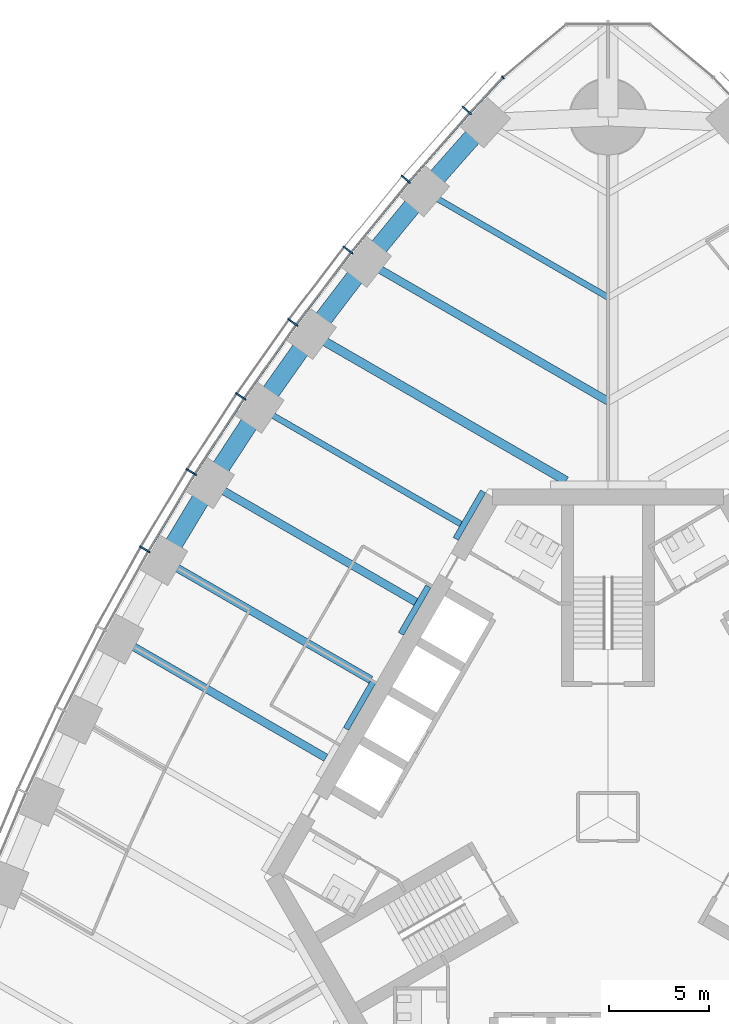
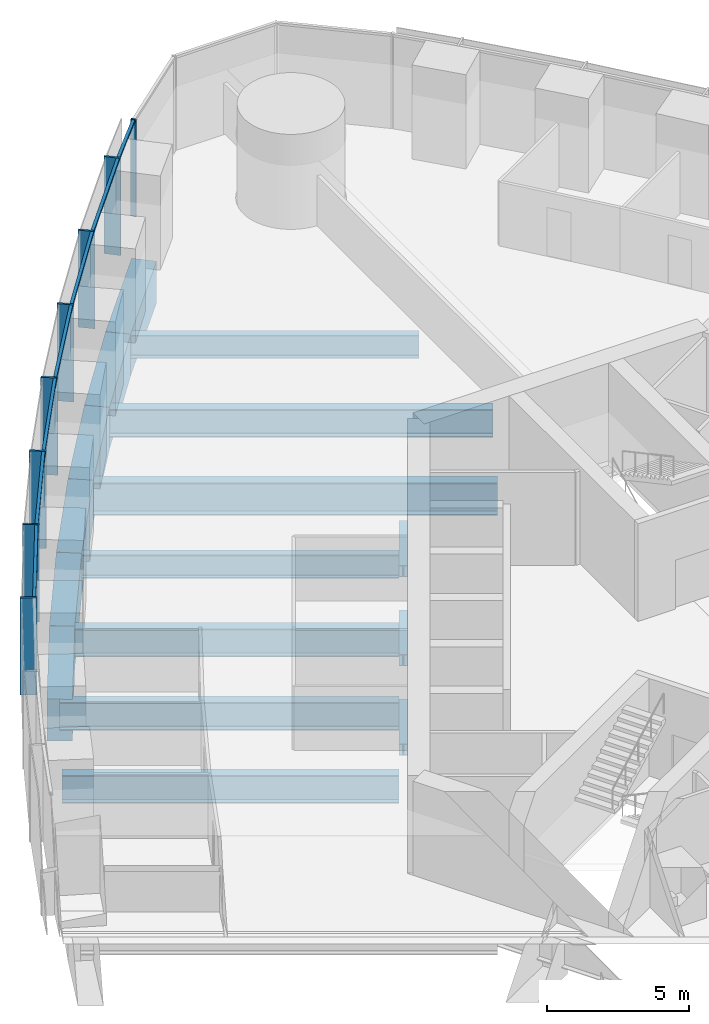
# One storey, part 4 of 18: 16 beams, 15 members, 2 elements without a shape of their own.
"""IFC4 building model written with IfcOpenShell, lengths in metres."""

from ifc_helpers import new_model, si_unit, direction, frame, origin, origin_2d, place, context, subcontext, project, spatial, rectangle, i_section, extrude, material, material_profile, profile_set, type_object, element, aggregate, save


model = new_model("IFC4")

# Units and contexts
model_context = context("Model", 3, precision=1e-05, world=origin(), true_north=direction((0.0, 1.0)))
body_context = subcontext(model_context, "Body", "Model", "MODEL_VIEW")
ifc_project = project(units=[si_unit("LENGTHUNIT", "METRE"), si_unit("AREAUNIT", "SQUARE_METRE"), si_unit("VOLUMEUNIT", "CUBIC_METRE"), si_unit("PLANEANGLEUNIT", "RADIAN"), si_unit("MASSUNIT", "GRAM", prefix="KILO")], contexts=[model_context])

# Site, building, storey
site_placement = place(None, origin())
site = spatial("IfcSite", under=ifc_project, at=site_placement, CompositionType="ELEMENT")
building_placement = place(site_placement, origin())
building = spatial("IfcBuilding", under=site, at=building_placement, Name="Trefoil Bronze Tower", CompositionType="ELEMENT")
storey_placement = place(building_placement, frame((0.0, 0.0, 157.699951171875)))
storey = spatial("IfcBuildingStorey", under=building, at=storey_placement, Name="L36", CompositionType="ELEMENT", Elevation=157.699951171875)

# Curtain wall, members
ifc_material_1 = material(Name="Tinted solar-control glass", Category="glass")
curtain_wall_type_1 = type_object("IfcCurtainWallType", Name="Bronze office curtain wall", PredefinedType="USERDEFINED", material=ifc_material_1)
curtain_wall_1_placement = place(storey_placement, origin())
curtain_wall_1 = element("IfcCurtainWall", 1, at=curtain_wall_1_placement, inside=storey, type_object=curtain_wall_type_1, Name="CW-A L36 F3", ObjectType="CURTAIN WALL", PredefinedType="USERDEFINED")
ifc_material_2 = material(Name="Bronze-finish aluminium", Category="aluminium")
ifc_material_profile_1 = material_profile(ifc_material_2, rectangle(XDim=0.60009765625, YDim=0.080078125, at=origin_2d()), Name="CW-A mullion")
ifc_profile_set_1 = profile_set([ifc_material_profile_1], Name="Bronze-finish aluminium")
member_type_1 = type_object("IfcMemberType", Name="Bronze office curtain wall mullion", PredefinedType="MULLION", material=ifc_profile_set_1)
member_1_placement = place(storey_placement, frame((-7.070068359375, 35.332275390625, 0.0), z_axis=(0.0, 0.0, 1.0), x_axis=(0.740360700327, -0.672209813534, 0.0)))
member_1 = element("IfcMember", 2, at=member_1_placement, type_object=member_type_1, Name="CW-A L36 F3 mullion 2", PredefinedType="MULLION", context=body_context, shape_type="SweptSolid", body=[
    extrude(rectangle(XDim=0.60009765625, YDim=0.080078125, at=origin_2d()), origin(), (0.0, 0.0, 1.0), 4.179931640625),
])
member_2_placement = place(storey_placement, frame((-10.11474609375, 31.8828125, 0.0), z_axis=(0.0, 0.0, 1.0), x_axis=(0.761721651066, -0.647904411389, 0.0)))
member_2 = element("IfcMember", 3, at=member_2_placement, type_object=member_type_1, Name="CW-A L36 F3 mullion 3", PredefinedType="MULLION", context=body_context, shape_type="SweptSolid", body=[
    extrude(rectangle(XDim=0.60009765625, YDim=0.080078125, at=origin_2d()), origin(), (0.0, 0.0, 1.0), 4.179931640625),
])
member_3_placement = place(storey_placement, frame((-13.01220703125, 28.34716796875, 0.0), z_axis=(0.0, 0.0, 1.0), x_axis=(0.78487913905, -0.619648882098, 0.0)))
member_3 = element("IfcMember", 4, at=member_3_placement, type_object=member_type_1, Name="CW-A L36 F3 mullion 4", PredefinedType="MULLION", context=body_context, shape_type="SweptSolid", body=[
    extrude(rectangle(XDim=0.60009765625, YDim=0.080078125, at=origin_2d()), origin(), (0.0, 0.0, 1.0), 4.179931640625),
])
member_4_placement = place(storey_placement, frame((-15.764404296875, 24.7275390625, 0.0), z_axis=(0.0, 0.0, 1.0), x_axis=(0.806874522901, -0.590722865897, 0.0)))
member_4 = element("IfcMember", 5, at=member_4_placement, type_object=member_type_1, Name="CW-A L36 F3 mullion 5", PredefinedType="MULLION", context=body_context, shape_type="SweptSolid", body=[
    extrude(rectangle(XDim=0.60009765625, YDim=0.080078125, at=origin_2d()), origin(), (0.0, 0.0, 1.0), 4.179931640625),
])
member_5_placement = place(storey_placement, frame((-18.373046875, 21.025146484375, 0.0), z_axis=(0.0, 0.0, 1.0), x_axis=(0.827723925749, -0.561135547566, 0.0)))
member_5 = element("IfcMember", 6, at=member_5_placement, type_object=member_type_1, Name="CW-A L36 F3 mullion 6", PredefinedType="MULLION", context=body_context, shape_type="SweptSolid", body=[
    extrude(rectangle(XDim=0.60009765625, YDim=0.080078125, at=origin_2d()), origin(), (0.0, 0.0, 1.0), 4.179931640625),
])
member_6_placement = place(storey_placement, frame((-20.840087890625, 17.24072265625, 0.0), z_axis=(0.0, 0.0, 1.0), x_axis=(0.84743864936, -0.530893337283, 0.0)))
member_6 = element("IfcMember", 7, at=member_6_placement, type_object=member_type_1, Name="CW-A L36 F3 mullion 7", PredefinedType="MULLION", context=body_context, shape_type="SweptSolid", body=[
    extrude(rectangle(XDim=0.60009765625, YDim=0.080078125, at=origin_2d()), origin(), (0.0, 0.0, 1.0), 4.179931640625),
])
member_7_placement = place(storey_placement, frame((-23.166015625, 13.374755859375, 0.0), z_axis=(0.0, 0.0, 1.0), x_axis=(0.866025403784, -0.5, 0.0)))
member_7 = element("IfcMember", 8, at=member_7_placement, type_object=member_type_1, Name="CW-A L36 F3 mullion 8", PredefinedType="MULLION", context=body_context, shape_type="SweptSolid", body=[
    extrude(rectangle(XDim=0.60009765625, YDim=0.080078125, at=origin_2d()), origin(), (0.0, 0.0, 1.0), 4.179931640625),
])
ifc_material_3 = material(Name="Bronze-finish aluminium", Category="aluminium")
ifc_material_profile_2 = material_profile(ifc_material_3, rectangle(XDim=0.1201171875, YDim=0.10009765625, at=origin_2d()), Name="CW-A transom")
ifc_profile_set_2 = profile_set([ifc_material_profile_2], Name="Bronze-finish aluminium")
member_type_2 = type_object("IfcMemberType", Name="Bronze office curtain wall transom", PredefinedType="USERDEFINED", material=ifc_profile_set_2)
member_8_placement = place(storey_placement, frame((-5.296630859375, 36.9384765625, 4.130126953125), z_axis=(-0.682489214428, -0.730895664366, 0.0), x_axis=(0.730895664366, -0.682489214428, 0.0)))
member_8 = element("IfcMember", 9, at=member_8_placement, type_object=member_type_2, Name="CW-A L36 F3 transom 1", ObjectType="TRANSOM", PredefinedType="USERDEFINED", context=body_context, shape_type="SweptSolid", body=[
    extrude(rectangle(XDim=0.1201171875, YDim=0.10009765625, at=origin_2d()), origin(), (0.0, 0.0, 1.0), 2.340087890625),
])
member_9_placement = place(storey_placement, frame((-6.949462890625, 35.166748046875, 4.130126953125), z_axis=(-0.66173618877, -0.749736764786, 0.0), x_axis=(0.749736764786, -0.66173618877, 0.0)))
member_9 = element("IfcMember", 10, at=member_9_placement, type_object=member_type_2, Name="CW-A L36 F3 transom 2", ObjectType="TRANSOM", PredefinedType="USERDEFINED", context=body_context, shape_type="SweptSolid", body=[
    extrude(rectangle(XDim=0.1201171875, YDim=0.10009765625, at=origin_2d()), origin(), (0.0, 0.0, 1.0), 4.510986328125),
])
member_10_placement = place(storey_placement, frame((-9.98876953125, 31.720947265625, 4.130126953125), z_axis=(-0.633848872297, -0.773456919995, 0.0), x_axis=(0.773456919995, -0.633848872297, 0.0)))
member_10 = element("IfcMember", 11, at=member_10_placement, type_object=member_type_2, Name="CW-A L36 F3 transom 3", ObjectType="TRANSOM", PredefinedType="USERDEFINED", context=body_context, shape_type="SweptSolid", body=[
    extrude(rectangle(XDim=0.1201171875, YDim=0.10009765625, at=origin_2d()), origin(), (0.0, 0.0, 1.0), 4.480224609375),
])
member_11_placement = place(storey_placement, frame((-12.880615234375, 28.18994140625, 4.130126953125), z_axis=(-0.605229114572, -0.796051329296, 0.0), x_axis=(0.796051329296, -0.605229114572, 0.0)))
member_11 = element("IfcMember", 12, at=member_11_placement, type_object=member_type_2, Name="CW-A L36 F3 transom 4", ObjectType="TRANSOM", PredefinedType="USERDEFINED", context=body_context, shape_type="SweptSolid", body=[
    extrude(rectangle(XDim=0.1201171875, YDim=0.10009765625, at=origin_2d()), origin(), (0.0, 0.0, 1.0), 4.456298828125),
])
member_12_placement = place(storey_placement, frame((-15.626953125, 24.5751953125, 4.130126953125), z_axis=(-0.576017858824, -0.817437108478, 0.0), x_axis=(0.817437108478, -0.576017858824, 0.0)))
member_12 = element("IfcMember", 13, at=member_12_placement, type_object=member_type_2, Name="CW-A L36 F3 transom 5", ObjectType="TRANSOM", PredefinedType="USERDEFINED", context=body_context, shape_type="SweptSolid", body=[
    extrude(rectangle(XDim=0.1201171875, YDim=0.10009765625, at=origin_2d()), origin(), (0.0, 0.0, 1.0), 4.4384765625),
])
member_13_placement = place(storey_placement, frame((-18.23046875, 20.877685546875, 4.130126953125), z_axis=(-0.546079336226, -0.837733465099, 0.0), x_axis=(0.837733465099, -0.546079336226, 0.0)))
member_13 = element("IfcMember", 14, at=member_13_placement, type_object=member_type_2, Name="CW-A L36 F3 transom 6", ObjectType="TRANSOM", PredefinedType="USERDEFINED", context=body_context, shape_type="SweptSolid", body=[
    extrude(rectangle(XDim=0.1201171875, YDim=0.10009765625, at=origin_2d()), origin(), (0.0, 0.0, 1.0), 4.426513671875),
])
member_14_placement = place(storey_placement, frame((-20.692138671875, 17.0986328125, 4.130126953125), z_axis=(-0.515526794174, -0.856873458854, 0.0), x_axis=(0.856873458854, -0.515526794174, 0.0)))
member_14 = element("IfcMember", 15, at=member_14_placement, type_object=member_type_2, Name="CW-A L36 F3 transom 7", ObjectType="TRANSOM", PredefinedType="USERDEFINED", context=body_context, shape_type="SweptSolid", body=[
    extrude(rectangle(XDim=0.1201171875, YDim=0.10009765625, at=origin_2d()), origin(), (0.0, 0.0, 1.0), 4.4208984375),
])
aggregate(curtain_wall_1, [member_1, member_2, member_3, member_4, member_5, member_6, member_7, member_8, member_9, member_10, member_11, member_12, member_13, member_14])

# Curtain wall, member
ifc_material_4 = material(Name="Tinted solar-control glass", Category="glass")
curtain_wall_type_2 = type_object("IfcCurtainWallType", Name="Bronze rounded corner curtain wall", PredefinedType="USERDEFINED", material=ifc_material_4)
curtain_wall_2_placement = place(storey_placement, origin())
curtain_wall_2 = element("IfcCurtainWall", 16, at=curtain_wall_2_placement, inside=storey, type_object=curtain_wall_type_2, Name="CW-B L36 K2", ObjectType="CURTAIN WALL", PredefinedType="USERDEFINED")
ifc_material_5 = material(Name="Bronze-finish aluminium", Category="aluminium")
ifc_material_profile_3 = material_profile(ifc_material_5, rectangle(XDim=0.199951171875, YDim=0.06005859375, at=origin_2d()), Name="CW-B mullion")
ifc_profile_set_3 = profile_set([ifc_material_profile_3], Name="Bronze-finish aluminium")
member_type_3 = type_object("IfcMemberType", Name="Bronze rounded corner curtain wall mullion", PredefinedType="MULLION", material=ifc_profile_set_3)
member_15_placement = place(storey_placement, frame((-5.260498046875, 36.975830078125, 0.0), z_axis=(0.0, 0.0, 1.0), x_axis=(0.642787609687, -0.766044443119, 0.0)))
member_15 = element("IfcMember", 17, at=member_15_placement, type_object=member_type_3, Name="CW-B L36 K2 mullion 4", PredefinedType="MULLION", context=body_context, shape_type="SweptSolid", body=[
    extrude(rectangle(XDim=0.199951171875, YDim=0.06005859375, at=origin_2d()), origin(), (0.0, 0.0, 1.0), 4.179931640625),
])
aggregate(curtain_wall_2, [member_15])

# Beams
ifc_material_6 = material(Name="Steel C355", Category="steel")
ifc_material_profile_4 = material_profile(ifc_material_6, i_section(OverallWidth=0.300048828125, OverallDepth=0.5, WebThickness=0.014404296875, FlangeThickness=0.028076171875, FilletRadius=0.027099609375, at=origin_2d()), Name="HEB 500")
ifc_profile_set_4 = profile_set([ifc_material_profile_4], Name="Steel C355")
beam_type_1 = type_object("IfcBeamType", Name="Core seat beam HEB 500", PredefinedType="BEAM", material=ifc_profile_set_4)
for number, where, z_axis, x_axis, name in (
    (18, (-6.249755859375, 16.27490234375, -0.449951171875), (-0.500035825175, -0.866004719122, 0.0), (0.866004719122, -0.500035825175, 0.0), "Core seat beam F3/-2 L36"),
    (19, (-8.9921875, 11.52490234375, -0.449951171875), (-0.500035825175, -0.866004719122, 0.0), (0.866004719122, -0.500035825175, 0.0), "Core seat beam F3/-1 L36"),
    (20, (-11.734619140625, 6.77490234375, -0.449951171875), (-0.500035825175, -0.866004719122, 0.0), (0.866004719122, -0.500035825175, 0.0), "Core seat beam F3/+0 L36"),
):
    element("IfcBeam", number, at=place(storey_placement, frame(where, z_axis=z_axis, x_axis=x_axis)), inside=storey, type_object=beam_type_1, Name=name, PredefinedType="BEAM", context=body_context, shape_type="SweptSolid", body=[
        extrude(i_section(OverallWidth=0.300048828125, OverallDepth=0.5, WebThickness=0.014404296875, FlangeThickness=0.028076171875, FilletRadius=0.027099609375, at=origin_2d()), origin(), (0.0, 0.0, 1.0), 2.742431640625),
    ])
ifc_material_7 = material(Name="Steel C355", Category="steel")
ifc_material_profile_5 = material_profile(ifc_material_7, i_section(OverallWidth=0.300048828125, OverallDepth=1.0, WebThickness=0.01904296875, FlangeThickness=0.035888671875, FilletRadius=0.030029296875, at=origin_2d()), Name="HEB 1000")
ifc_profile_set_5 = profile_set([ifc_material_profile_5], Name="Steel C355")
beam_type_2 = type_object("IfcBeamType", Name="Floor beam HEB 1000", PredefinedType="BEAM", material=ifc_profile_set_5)
beam_1_placement = place(storey_placement, frame((-9.181884765625, 31.281982421875, -0.699951171875), z_axis=(0.866021079084, -0.500007490527, 0.0), x_axis=(0.500007490527, 0.866021079084, 0.0)))
element("IfcBeam", 21, at=beam_1_placement, inside=storey, type_object=beam_type_2, Name="Floor beam F3/-5 L36", PredefinedType="BEAM", context=body_context, shape_type="SweptSolid", body=[
    extrude(i_section(OverallWidth=0.300048828125, OverallDepth=1.0, WebThickness=0.01904296875, FlangeThickness=0.035888671875, FilletRadius=0.030029296875, at=origin_2d()), origin(), (0.0, 0.0, 1.0), 10.602294921875),
])
ifc_material_8 = material(Name="Steel C355", Category="steel")
ifc_material_profile_6 = material_profile(ifc_material_8, i_section(OverallWidth=0.302001953125, OverallDepth=1.008056640625, WebThickness=0.02099609375, FlangeThickness=0.0400390625, FilletRadius=0.030029296875, at=origin_2d()), Name="HEM 1000")
ifc_profile_set_6 = profile_set([ifc_material_profile_6], Name="Steel C355")
beam_type_3 = type_object("IfcBeamType", Name="Floor beam HEM 1000", PredefinedType="BEAM", material=ifc_profile_set_6)
beam_2_placement = place(storey_placement, frame((-17.43017578125, 20.45556640625, -0.703857421875), z_axis=(0.866030626868, -0.499990953245, 0.0), x_axis=(0.499990953245, 0.866030626868, 0.0)))
element("IfcBeam", 22, at=beam_2_placement, inside=storey, type_object=beam_type_3, Name="Floor beam F3/-2 L36", PredefinedType="BEAM", context=body_context, shape_type="SweptSolid", body=[
    extrude(i_section(OverallWidth=0.302001953125, OverallDepth=1.008056640625, WebThickness=0.02099609375, FlangeThickness=0.0400390625, FilletRadius=0.030029296875, at=origin_2d()), origin(), (0.0, 0.0, 1.0), 11.622802734375),
])
ifc_material_9 = material(Name="Steel C355", Category="steel")
ifc_material_profile_7 = material_profile(ifc_material_9, i_section(OverallWidth=0.39990234375, OverallDepth=1.199951171875, WebThickness=0.02001953125, FlangeThickness=0.0400390625, FilletRadius=0.010009765625, at=origin_2d()), Name="WPG 1200")
ifc_profile_set_7 = profile_set([ifc_material_profile_7], Name="Steel C355")
beam_type_4 = type_object("IfcBeamType", Name="Floor beam WPG 1200", PredefinedType="BEAM", material=ifc_profile_set_7)
beam_3_placement = place(storey_placement, frame((-12.07666015625, 27.757080078125, -0.800048828125), z_axis=(0.866026983775, -0.499997263366, 0.0), x_axis=(0.499997263366, 0.866026983775, 0.0)))
element("IfcBeam", 23, at=beam_3_placement, inside=storey, type_object=beam_type_4, Name="Floor beam F3/-4 L36", PredefinedType="BEAM", context=body_context, shape_type="SweptSolid", body=[
    extrude(i_section(OverallWidth=0.39990234375, OverallDepth=1.199951171875, WebThickness=0.02001953125, FlangeThickness=0.0400390625, FilletRadius=0.010009765625, at=origin_2d()), origin(), (0.0, 0.0, 1.0), 13.94482421875),
])
beam_4_placement = place(storey_placement, frame((-19.892578125, 16.68115234375, -0.800048828125), z_axis=(0.866024236736, -0.500002021381, 0.0), x_axis=(0.500002021381, 0.866024236736, 0.0)))
element("IfcBeam", 24, at=beam_4_placement, inside=storey, type_object=beam_type_4, Name="Floor beam F3/-1 L36", PredefinedType="BEAM", context=body_context, shape_type="SweptSolid", body=[
    extrude(i_section(OverallWidth=0.39990234375, OverallDepth=1.199951171875, WebThickness=0.02001953125, FlangeThickness=0.0400390625, FilletRadius=0.010009765625, at=origin_2d()), origin(), (0.0, 0.0, 1.0), 11.8681640625),
])
beam_5_placement = place(storey_placement, frame((-22.21337890625, 12.824951171875, -0.800048828125), z_axis=(0.866028062731, -0.499995394541, 0.0), x_axis=(0.499995394541, 0.866028062731, 0.0)))
element("IfcBeam", 25, at=beam_5_placement, inside=storey, type_object=beam_type_4, Name="Floor beam F3/+0 L36", PredefinedType="BEAM", context=body_context, shape_type="SweptSolid", body=[
    extrude(i_section(OverallWidth=0.39990234375, OverallDepth=1.199951171875, WebThickness=0.02001953125, FlangeThickness=0.0400390625, FilletRadius=0.010009765625, at=origin_2d()), origin(), (0.0, 0.0, 1.0), 11.94970703125),
])
beam_6_placement = place(storey_placement, frame((-24.392578125, 8.886962890625, -0.800048828125), z_axis=(0.866024236736, -0.500002021381, 0.0), x_axis=(0.500002021381, 0.866024236736, 0.0)))
element("IfcBeam", 26, at=beam_6_placement, inside=storey, type_object=beam_type_4, Name="Floor beam F3/+1 L36", PredefinedType="BEAM", context=body_context, shape_type="SweptSolid", body=[
    extrude(i_section(OverallWidth=0.39990234375, OverallDepth=1.199951171875, WebThickness=0.02001953125, FlangeThickness=0.0400390625, FilletRadius=0.010009765625, at=origin_2d()), origin(), (0.0, 0.0, 1.0), 11.8681640625),
])
ifc_material_10 = material(Name="Steel C355", Category="steel")
ifc_material_profile_8 = material_profile(ifc_material_10, i_section(OverallWidth=0.449951171875, OverallDepth=1.39990234375, WebThickness=0.02294921875, FlangeThickness=0.044921875, FilletRadius=0.011962890625, at=origin_2d()), Name="WPG 1400")
ifc_profile_set_8 = profile_set([ifc_material_profile_8], Name="Steel C355")
beam_type_5 = type_object("IfcBeamType", Name="Floor beam WPG 1400", PredefinedType="BEAM", material=ifc_profile_set_8)
beam_7_placement = place(storey_placement, frame((-14.825439453125, 24.14794921875, -0.89990234375), z_axis=(0.866027342682, -0.499996641717, 0.0), x_axis=(0.499996641717, 0.866027342682, 0.0)))
element("IfcBeam", 27, at=beam_7_placement, inside=storey, type_object=beam_type_5, Name="Floor beam F3/-3 L36", PredefinedType="BEAM", context=body_context, shape_type="SweptSolid", body=[
    extrude(i_section(OverallWidth=0.449951171875, OverallDepth=1.39990234375, WebThickness=0.02294921875, FlangeThickness=0.044921875, FilletRadius=0.011962890625, at=origin_2d()), origin(), (0.0, 0.0, 1.0), 14.69580078125),
])
ifc_material_11 = material(Name="Concrete B80", Category="concrete")
ifc_material_profile_9 = material_profile(ifc_material_11, rectangle(XDim=0.89990234375, YDim=1.800048828125, at=origin_2d()), Name="RC 900x1800")
ifc_profile_set_9 = profile_set([ifc_material_profile_9], Name="Concrete B80")
beam_type_6 = type_object("IfcBeamType", Name="Spandrel beam RC 900x1800", PredefinedType="SPANDREL", material=ifc_profile_set_9)
beam_8_placement = place(storey_placement, frame((-6.13916015625, 34.72119140625, -1.099853515625), z_axis=(-0.662616326239, -0.748959013699, 0.0), x_axis=(0.748959013699, -0.662616326239, 0.0)))
element("IfcBeam", 28, at=beam_8_placement, inside=storey, type_object=beam_type_6, Name="Spandrel F3.2 L36", PredefinedType="SPANDREL", context=body_context, shape_type="SweptSolid", body=[
    extrude(rectangle(XDim=0.89990234375, YDim=1.800048828125, at=origin_2d()), origin(), (0.0, 0.0, 1.0), 4.592041015625),
])
beam_9_placement = place(storey_placement, frame((-9.181884765625, 31.281982421875, -1.099853515625), z_axis=(-0.634650386838, -0.772799383079, 0.0), x_axis=(0.772799383079, -0.634650386838, 0.0)))
element("IfcBeam", 29, at=beam_9_placement, inside=storey, type_object=beam_type_6, Name="Spandrel F3.3 L36", PredefinedType="SPANDREL", context=body_context, shape_type="SweptSolid", body=[
    extrude(rectangle(XDim=0.89990234375, YDim=1.800048828125, at=origin_2d()), origin(), (0.0, 0.0, 1.0), 4.561279296875),
])
beam_10_placement = place(storey_placement, frame((-12.07666015625, 27.757080078125, -1.099853515625), z_axis=(-0.605898901788, -0.795541652468, 0.0), x_axis=(0.795541652468, -0.605898901788, 0.0)))
element("IfcBeam", 30, at=beam_10_placement, inside=storey, type_object=beam_type_6, Name="Spandrel F3.4 L36", PredefinedType="SPANDREL", context=body_context, shape_type="SweptSolid", body=[
    extrude(rectangle(XDim=0.89990234375, YDim=1.800048828125, at=origin_2d()), origin(), (0.0, 0.0, 1.0), 4.53662109375),
])
beam_11_placement = place(storey_placement, frame((-14.825439453125, 24.14794921875, -1.099853515625), z_axis=(-0.576439228712, -0.81714002203, 0.0), x_axis=(0.81714002203, -0.576439228712, 0.0)))
element("IfcBeam", 31, at=beam_11_placement, inside=storey, type_object=beam_type_6, Name="Spandrel F3.5 L36", PredefinedType="SPANDREL", context=body_context, shape_type="SweptSolid", body=[
    extrude(rectangle(XDim=0.89990234375, YDim=1.800048828125, at=origin_2d()), origin(), (0.0, 0.0, 1.0), 4.5185546875),
])
beam_12_placement = place(storey_placement, frame((-17.43017578125, 20.45556640625, -1.099853515625), z_axis=(-0.546396670296, -0.83752652417, 0.0), x_axis=(0.83752652417, -0.546396670296, 0.0)))
element("IfcBeam", 32, at=beam_12_placement, inside=storey, type_object=beam_type_6, Name="Spandrel F3.6 L36", PredefinedType="SPANDREL", context=body_context, shape_type="SweptSolid", body=[
    extrude(rectangle(XDim=0.89990234375, YDim=1.800048828125, at=origin_2d()), origin(), (0.0, 0.0, 1.0), 4.506591796875),
])
beam_13_placement = place(storey_placement, frame((-19.892578125, 16.68115234375, -1.099853515625), z_axis=(-0.515651979972, -0.856798129988, 0.0), x_axis=(0.856798129988, -0.515651979972, 0.0)))
element("IfcBeam", 33, at=beam_13_placement, inside=storey, type_object=beam_type_6, Name="Spandrel F3.7 L36", PredefinedType="SPANDREL", context=body_context, shape_type="SweptSolid", body=[
    extrude(rectangle(XDim=0.89990234375, YDim=1.800048828125, at=origin_2d()), origin(), (0.0, 0.0, 1.0), 4.500732421875),
])

save(model, "model.ifc")
